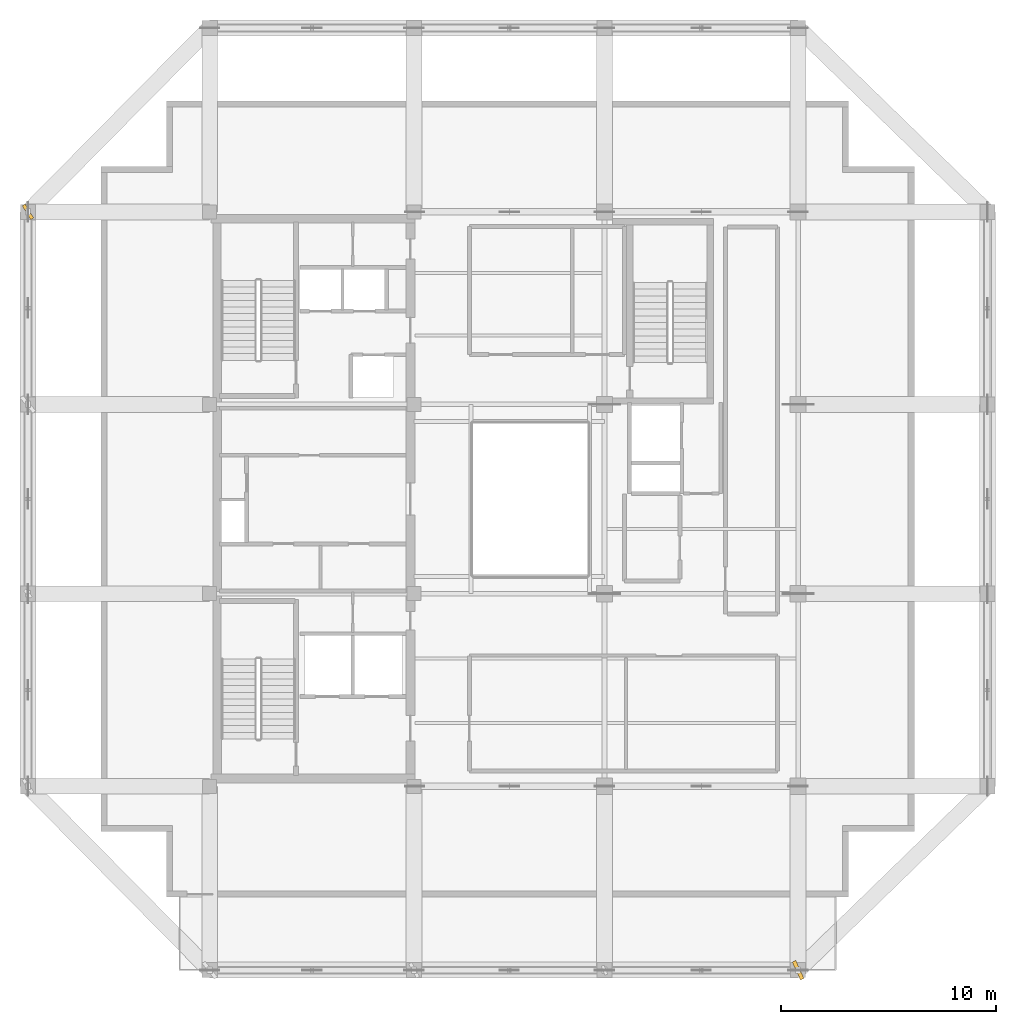
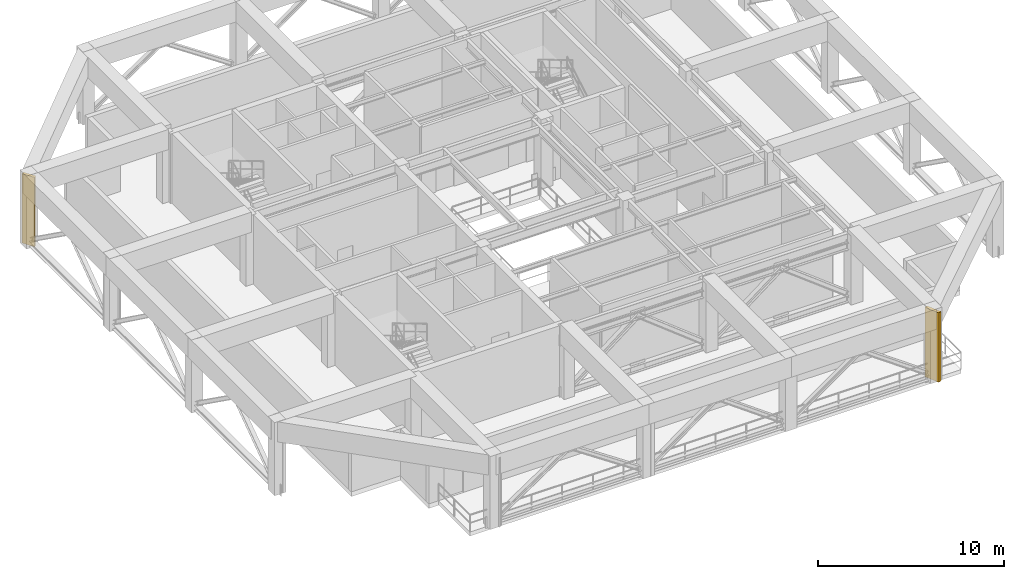
# One storey, part 9 of 10: 2 shading devices.
"""IFC4 building model written with IfcOpenShell, lengths in metres."""

from ifc_helpers import new_model, si_unit, direction, frame, origin, origin_2d, place, context, subcontext, project, spatial, rectangle, extrude, material, type_object, element, save


model = new_model("IFC4")

# Units and contexts
model_context = context("Model", 3, precision=1e-05, world=origin(), true_north=direction((0.0, 1.0)))
body_context = subcontext(model_context, "Body", "Model", "MODEL_VIEW")
ifc_project = project(units=[si_unit("LENGTHUNIT", "METRE"), si_unit("AREAUNIT", "SQUARE_METRE"), si_unit("VOLUMEUNIT", "CUBIC_METRE"), si_unit("PLANEANGLEUNIT", "RADIAN"), si_unit("MASSUNIT", "GRAM", prefix="KILO")], contexts=[model_context])

# Site, building, storey
site_placement = place(None, origin())
site = spatial("IfcSite", under=ifc_project, at=site_placement, CompositionType="ELEMENT")
building_placement = place(site_placement, origin())
building = spatial("IfcBuilding", under=site, at=building_placement, Name="Kundavana Baori Tower", CompositionType="ELEMENT")
storey_placement = place(building_placement, frame((0.0, 0.0, 307.699951171875)))
storey = spatial("IfcBuildingStorey", under=building, at=storey_placement, Name="L76", CompositionType="ELEMENT", Elevation=307.699951171875)

# Shading devices
ifc_material_1 = material(Name="Red-Buff Dholpur Sandstone Cladding on Concrete C40/50", Category="masonry")
shading_device_type_1 = type_object("IfcShadingDeviceType", Name="SHD-FIN-750", PredefinedType="JALOUSIE", material=ifc_material_1)
shading_device_1_placement = place(storey_placement, frame((7.0, 41.949951171875, 0.0), z_axis=(0.0, 0.0, 1.0), x_axis=(0.851909787835, 0.523688565266, 0.0)))
element("IfcShadingDevice", 1, at=shading_device_1_placement, inside=storey, type_object=shading_device_type_1, Name="L76 Sweeping Dholpur Sandstone Facade Fin 8", PredefinedType="JALOUSIE", context=body_context, shape_type="SweptSolid", body=[
    extrude(rectangle(XDim=0.159912109375, YDim=0.75, at=origin_2d()), origin(), (0.0, 0.0, 1.0), 4.56005859375),
])
ifc_material_2 = material(Name="Red-Buff Dholpur Sandstone Cladding on Concrete C40/50", Category="masonry")
shading_device_type_2 = type_object("IfcShadingDeviceType", Name="SHD-FIN-920", PredefinedType="JALOUSIE", material=ifc_material_2)
shading_device_2_placement = place(storey_placement, frame((42.800048828125, 6.699951171875, 0.0), z_axis=(0.0, 0.0, 1.0), x_axis=(0.908362259055, 0.418184177516, 0.0)))
element("IfcShadingDevice", 2, at=shading_device_2_placement, inside=storey, type_object=shading_device_type_2, Name="L76 Sweeping Dholpur Sandstone Facade Fin 4", PredefinedType="JALOUSIE", context=body_context, shape_type="SweptSolid", body=[
    extrude(rectangle(XDim=0.179931640625, YDim=0.919921875, at=origin_2d()), origin(), (0.0, 0.0, 1.0), 4.56005859375),
])

save(model, "model.ifc")
